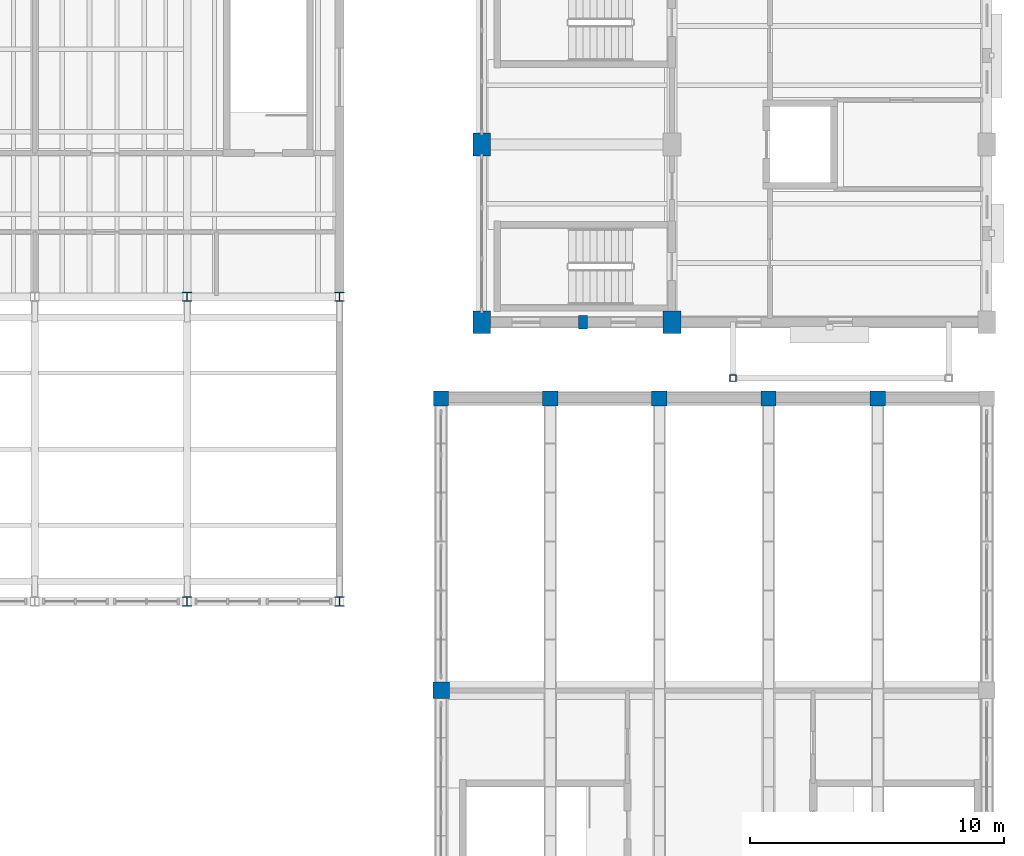
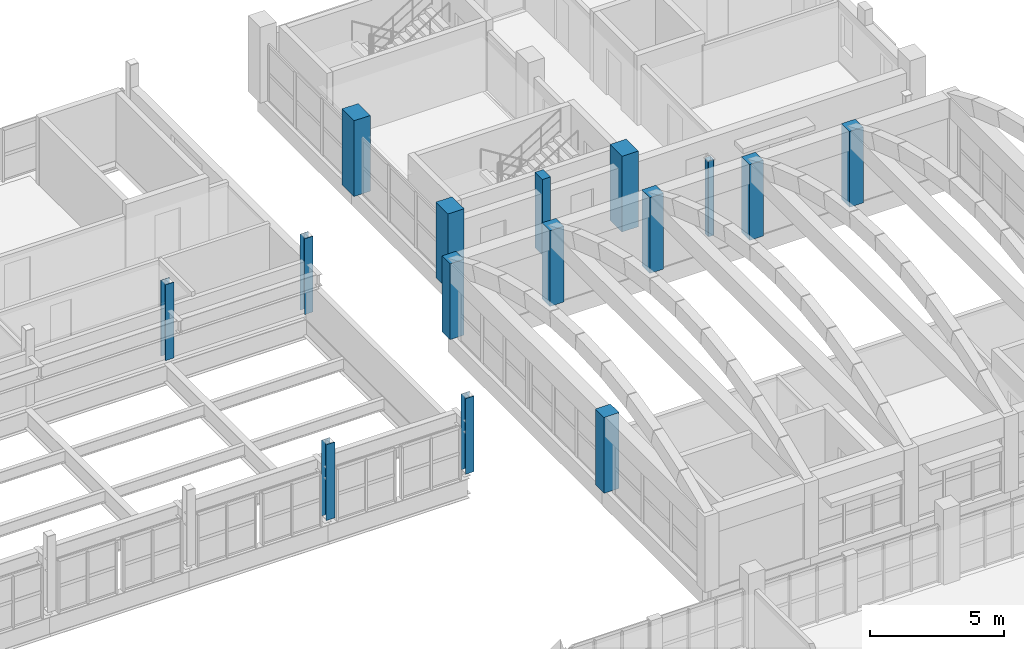
# One storey, part 7 of 77: 15 columns.
"""IFC4 building model written with IfcOpenShell, lengths in metres."""

from ifc_helpers import new_model, si_unit, direction, frame, origin, origin_2d, place, context, subcontext, project, spatial, rectangle, hollow_rectangle, i_section, extrude, material, material_profile, profile_set, type_object, element, save


model = new_model("IFC4")

# Units and contexts
model_context = context("Model", 3, precision=1e-05, world=origin(), true_north=direction((0.0, 1.0)))
body_context = subcontext(model_context, "Body", "Model", "MODEL_VIEW")
ifc_project = project(units=[si_unit("LENGTHUNIT", "METRE"), si_unit("AREAUNIT", "SQUARE_METRE"), si_unit("VOLUMEUNIT", "CUBIC_METRE"), si_unit("PLANEANGLEUNIT", "RADIAN"), si_unit("MASSUNIT", "GRAM", prefix="KILO")], contexts=[model_context])

# Site, building, storey
site_placement = place(None, origin())
site = spatial("IfcSite", under=ifc_project, at=site_placement, CompositionType="ELEMENT")
building_placement = place(site_placement, origin())
building = spatial("IfcBuilding", under=site, at=building_placement, Name="Trellovar Central Fire Station", CompositionType="ELEMENT")
storey_placement = place(building_placement, frame((0.0, 0.0, 5.85009765625)))
storey = spatial("IfcBuildingStorey", under=building, at=storey_placement, Name="L02", CompositionType="ELEMENT", Elevation=5.85009765625)

# Columns
ifc_material_1 = material(Name="Concrete C40/50", Category="concrete")
ifc_material_profile_1 = material_profile(ifc_material_1, rectangle(XDim=0.699951171875, YDim=0.89990234375, at=origin_2d()), Name="RC700X900")
ifc_profile_set_1 = profile_set([ifc_material_profile_1], Name="Concrete C40/50")
column_type_1 = type_object("IfcColumnType", Name="COL-C3", PredefinedType="COLUMN", material=ifc_profile_set_1)
for number, where, z_axis, x_axis, name in (
    (1, (141.10009765625, 59.0, 0.0), (0.0, 0.0, 1.0), (1.0, 0.0, 0.0), "L02 column C-3"),
    (2, (141.10009765625, 66.0, 0.0), (0.0, 0.0, 1.0), (1.0, 0.0, 0.0), "L02 column C-3"),
    (3, (148.60009765625, 59.0, 0.0), (0.0, 0.0, 1.0), (1.0, 0.0, 0.0), "L02 column C-3"),
):
    element("IfcColumn", number, at=place(storey_placement, frame(where, z_axis=z_axis, x_axis=x_axis)), inside=storey, type_object=column_type_1, Name=name, PredefinedType="COLUMN", context=body_context, shape_type="SweptSolid", body=[
        extrude(rectangle(XDim=0.699951171875, YDim=0.89990234375, at=origin_2d()), origin(), (0.0, 0.0, 1.0), 3.449951171875),
    ])
ifc_material_2 = material(Name="Concrete C40/50", Category="concrete")
ifc_material_profile_2 = material_profile(ifc_material_2, rectangle(XDim=0.64990234375, YDim=0.64990234375, at=origin_2d()), Name="RC650X650")
ifc_profile_set_2 = profile_set([ifc_material_profile_2], Name="Concrete C40/50")
column_type_2 = type_object("IfcColumnType", Name="COL-C5", PredefinedType="COLUMN", material=ifc_profile_set_2)
column_1_placement = place(storey_placement, frame((139.5, 44.5, 0.0), z_axis=(0.0, 0.0, 1.0), x_axis=(1.0, 0.0, 0.0)))
element("IfcColumn", 4, at=column_1_placement, inside=storey, type_object=column_type_2, Name="L02 column C-5", PredefinedType="COLUMN", context=body_context, shape_type="SweptSolid", body=[
    extrude(rectangle(XDim=0.64990234375, YDim=0.64990234375, at=origin_2d()), origin(), (0.0, 0.0, 1.0), 3.449951171875),
])
ifc_material_3 = material(Name="Concrete C40/50", Category="concrete")
ifc_material_profile_3 = material_profile(ifc_material_3, rectangle(XDim=0.60009765625, YDim=0.60009765625, at=origin_2d()), Name="RC600X600")
ifc_profile_set_3 = profile_set([ifc_material_profile_3], Name="Concrete C40/50")
column_type_3 = type_object("IfcColumnType", Name="COL-C6", PredefinedType="COLUMN", material=ifc_profile_set_3)
for number, where, z_axis, x_axis, name in (
    (5, (139.5, 56.0, 0.0), (0.0, 0.0, 1.0), (1.0, 0.0, 0.0), "L02 column C-6"),
    (6, (143.800048828125, 56.0, 0.0), (0.0, 0.0, 1.0), (1.0, 0.0, 0.0), "L02 column C-6"),
    (7, (148.10009765625, 56.0, 0.0), (0.0, 0.0, 1.0), (1.0, 0.0, 0.0), "L02 column C-6"),
    (8, (152.39990234375, 56.0, 0.0), (0.0, 0.0, 1.0), (1.0, 0.0, 0.0), "L02 column C-6"),
    (9, (156.699951171875, 56.0, 0.0), (0.0, 0.0, 1.0), (1.0, 0.0, 0.0), "L02 column C-6"),
):
    element("IfcColumn", number, at=place(storey_placement, frame(where, z_axis=z_axis, x_axis=x_axis)), inside=storey, type_object=column_type_3, Name=name, PredefinedType="COLUMN", context=body_context, shape_type="SweptSolid", body=[
        extrude(rectangle(XDim=0.60009765625, YDim=0.60009765625, at=origin_2d()), origin(), (0.0, 0.0, 1.0), 3.449951171875),
    ])
ifc_material_4 = material(Name="Concrete C40/50", Category="concrete")
ifc_material_profile_4 = material_profile(ifc_material_4, rectangle(XDim=0.35009765625, YDim=0.550048828125, at=origin_2d()), Name="RC350X550")
ifc_profile_set_4 = profile_set([ifc_material_profile_4], Name="Concrete C40/50")
column_type_4 = type_object("IfcColumnType", Name="COL-PIL2", PredefinedType="PILASTER", material=ifc_profile_set_4)
column_2_placement = place(storey_placement, frame((145.10009765625, 59.0, 0.0), z_axis=(0.0, 0.0, 1.0), x_axis=(1.0, 0.0, 0.0)))
element("IfcColumn", 10, at=column_2_placement, inside=storey, type_object=column_type_4, Name="V2 drill tower vertical buttress fin L02-1", PredefinedType="PILASTER", context=body_context, shape_type="SweptSolid", body=[
    extrude(rectangle(XDim=0.35009765625, YDim=0.550048828125, at=origin_2d()), origin(), (0.0, 0.0, 1.0), 3.449951171875),
])
ifc_material_5 = material(Name="Steel ASTM A992 Grade 50", Category="steel")
ifc_material_profile_5 = material_profile(ifc_material_5, i_section(OverallWidth=0.368896484375, OverallDepth=0.356201171875, WebThickness=0.01123046875, FlangeThickness=0.01806640625, FilletRadius=0.01513671875, at=origin_2d()), Name="W14X90")
ifc_profile_set_5 = profile_set([ifc_material_profile_5], Name="Steel ASTM A992 Grade 50")
column_type_5 = type_object("IfcColumnType", Name="COL-SC1", PredefinedType="COLUMN", material=ifc_profile_set_5)
for number, where, z_axis, x_axis, name in (
    (11, (129.5, 48.0, 0.0), (0.0, 0.0, 1.0), (1.0, 0.0, 0.0), "L02 column SC-1"),
    (12, (129.5, 60.0, 0.0), (0.0, 0.0, 1.0), (1.0, 0.0, 0.0), "L02 column SC-1"),
    (13, (135.5, 48.0, 0.0), (0.0, 0.0, 1.0), (1.0, 0.0, 0.0), "L02 column SC-1"),
    (14, (135.5, 60.0, 0.0), (0.0, 0.0, 1.0), (1.0, 0.0, 0.0), "L02 column SC-1"),
):
    element("IfcColumn", number, at=place(storey_placement, frame(where, z_axis=z_axis, x_axis=x_axis)), inside=storey, type_object=column_type_5, Name=name, PredefinedType="COLUMN", context=body_context, shape_type="SweptSolid", body=[
        extrude(i_section(OverallWidth=0.368896484375, OverallDepth=0.356201171875, WebThickness=0.01123046875, FlangeThickness=0.01806640625, FilletRadius=0.01513671875, at=origin_2d()), origin(), (0.0, 0.0, 1.0), 3.449951171875),
    ])
ifc_material_6 = material(Name="Steel ASTM A500 Grade C", Category="steel")
ifc_material_profile_6 = material_profile(ifc_material_6, hollow_rectangle(XDim=0.25390625, YDim=0.25390625, WallThickness=0.01171875, InnerFilletRadius=0.01171875, OuterFilletRadius=0.023681640625, at=origin_2d()), Name="HSS10X10X1/2")
ifc_profile_set_6 = profile_set([ifc_material_profile_6], Name="Steel ASTM A500 Grade C")
column_type_6 = type_object("IfcColumnType", Name="COL-SC4", PredefinedType="COLUMN", material=ifc_profile_set_6)
column_3_placement = place(storey_placement, frame((151.0, 56.800048828125, 0.0), z_axis=(0.0, 0.0, 1.0), x_axis=(1.0, 0.0, 0.0)))
element("IfcColumn", 15, at=column_3_placement, inside=storey, type_object=column_type_6, Name="V2 L02 training balcony support post", PredefinedType="COLUMN", context=body_context, shape_type="SweptSolid", body=[
    extrude(hollow_rectangle(XDim=0.25390625, YDim=0.25390625, WallThickness=0.01171875, InnerFilletRadius=0.01171875, OuterFilletRadius=0.023681640625, at=origin_2d()), origin(), (0.0, 0.0, 1.0), 3.449951171875),
])

save(model, "model.ifc")
